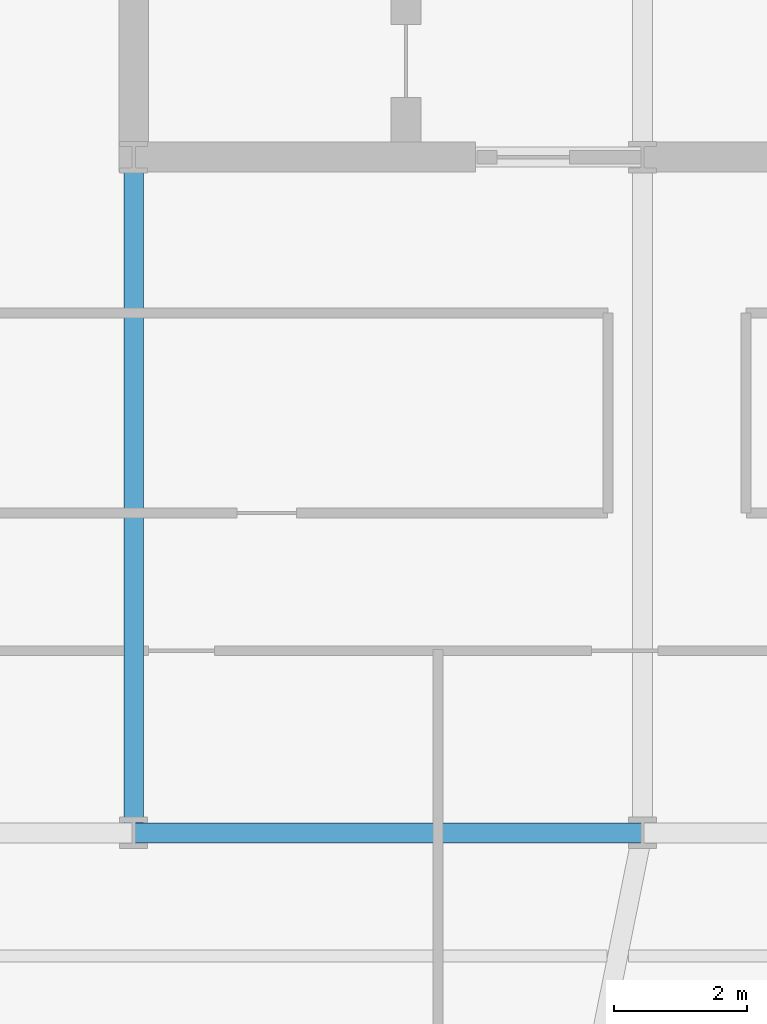
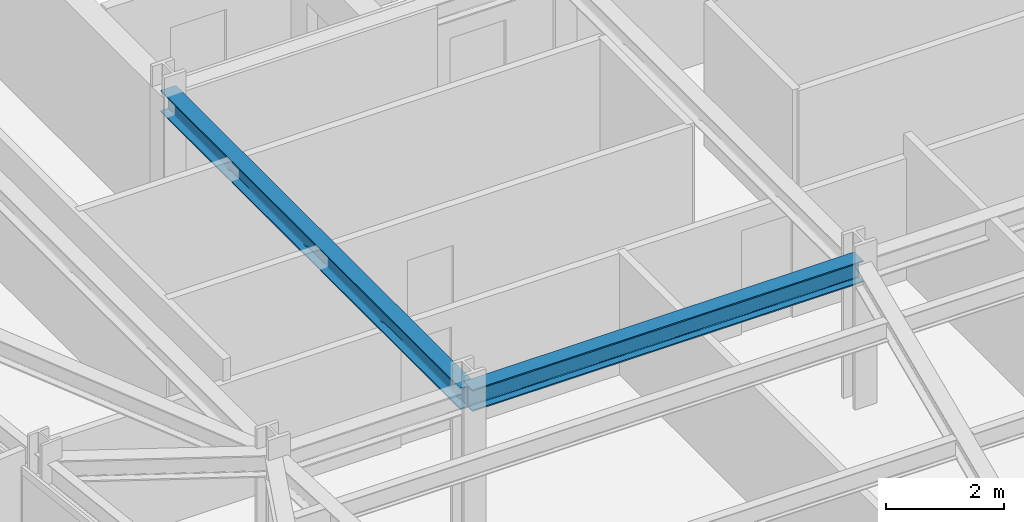
# One storey, part 7 of 32: 2 beams.
"""IFC4 building model written with IfcOpenShell, lengths in metres."""

from ifc_helpers import new_model, si_unit, direction, frame, origin, origin_2d, place, context, subcontext, project, spatial, i_section, extrude, material, material_profile, profile_set, type_object, element, save


model = new_model("IFC4")

# Units and contexts
model_context = context("Model", 3, precision=1e-05, world=origin(), true_north=direction((0.0, 1.0)))
body_context = subcontext(model_context, "Body", "Model", "MODEL_VIEW")
ifc_project = project(units=[si_unit("LENGTHUNIT", "METRE"), si_unit("AREAUNIT", "SQUARE_METRE"), si_unit("VOLUMEUNIT", "CUBIC_METRE"), si_unit("PLANEANGLEUNIT", "RADIAN"), si_unit("MASSUNIT", "GRAM", prefix="KILO")], contexts=[model_context])

# Site, building, storey
site_placement = place(None, origin())
site = spatial("IfcSite", under=ifc_project, at=site_placement, CompositionType="ELEMENT")
building_placement = place(site_placement, origin())
building = spatial("IfcBuilding", under=site, at=building_placement, Name="Yelkora Congress Tower", CompositionType="ELEMENT")
storey_placement = place(building_placement, frame((0.0, 0.0, 133.89990234375)))
storey = spatial("IfcBuildingStorey", under=building, at=storey_placement, Name="L36", CompositionType="ELEMENT", Elevation=133.89990234375)

# Beams
ifc_material = material(Name="Steel S355J2", Category="steel")
ifc_material_profile = material_profile(ifc_material, i_section(OverallWidth=0.300048828125, OverallDepth=0.449951171875, WebThickness=0.013916015625, FlangeThickness=0.02587890625, FilletRadius=0.027099609375, at=origin_2d()), Name="HEB 450")
ifc_profile_set = profile_set([ifc_material_profile], Name="Steel S355J2")
beam_type = type_object("IfcBeamType", Name="BM-GIRD-HEB450", PredefinedType="BEAM", material=ifc_profile_set)
beam_1_placement = place(storey_placement, frame((23.0400390625, 25.199951171875, 2.755126953125), z_axis=(1.0, 0.0, 0.0), x_axis=(0.0, 1.0, 0.0)))
element("IfcBeam", 1, at=beam_1_placement, inside=storey, type_object=beam_type, Name="L36 Spine Grid D Girder 2", PredefinedType="BEAM", context=body_context, shape_type="SweptSolid", body=[
    extrude(i_section(OverallWidth=0.300048828125, OverallDepth=0.449951171875, WebThickness=0.013916015625, FlangeThickness=0.02587890625, FilletRadius=0.027099609375, at=origin_2d()), origin(), (0.0, 0.0, 1.0), 7.679931640625),
])
beam_2_placement = place(storey_placement, frame((23.0400390625, 25.199951171875, 2.755126953125), z_axis=(0.0, 1.0, 0.0), x_axis=(-1.0, 0.0, 0.0)))
element("IfcBeam", 2, at=beam_2_placement, inside=storey, type_object=beam_type, Name="L36 Core Tie Girder MC-D1", PredefinedType="BEAM", context=body_context, shape_type="SweptSolid", body=[
    extrude(i_section(OverallWidth=0.300048828125, OverallDepth=0.449951171875, WebThickness=0.013916015625, FlangeThickness=0.02587890625, FilletRadius=0.027099609375, at=origin_2d()), origin(), (0.0, 0.0, 1.0), 10.199951171875),
])

save(model, "model.ifc")
